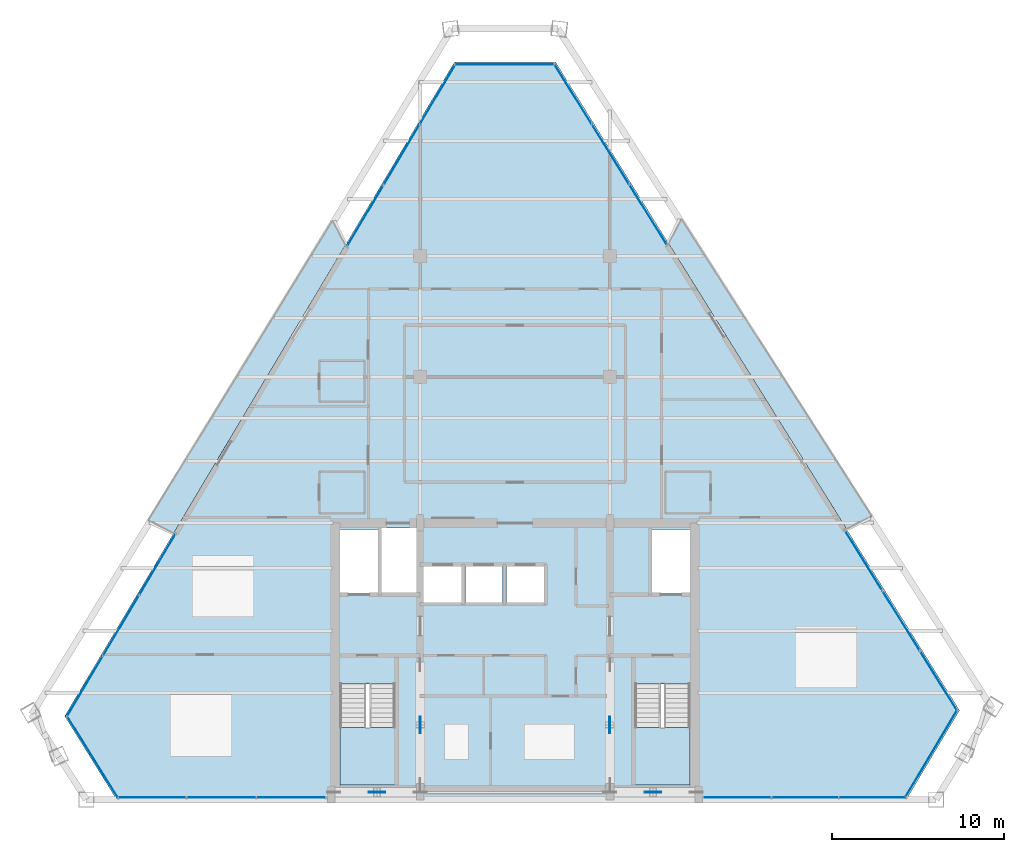
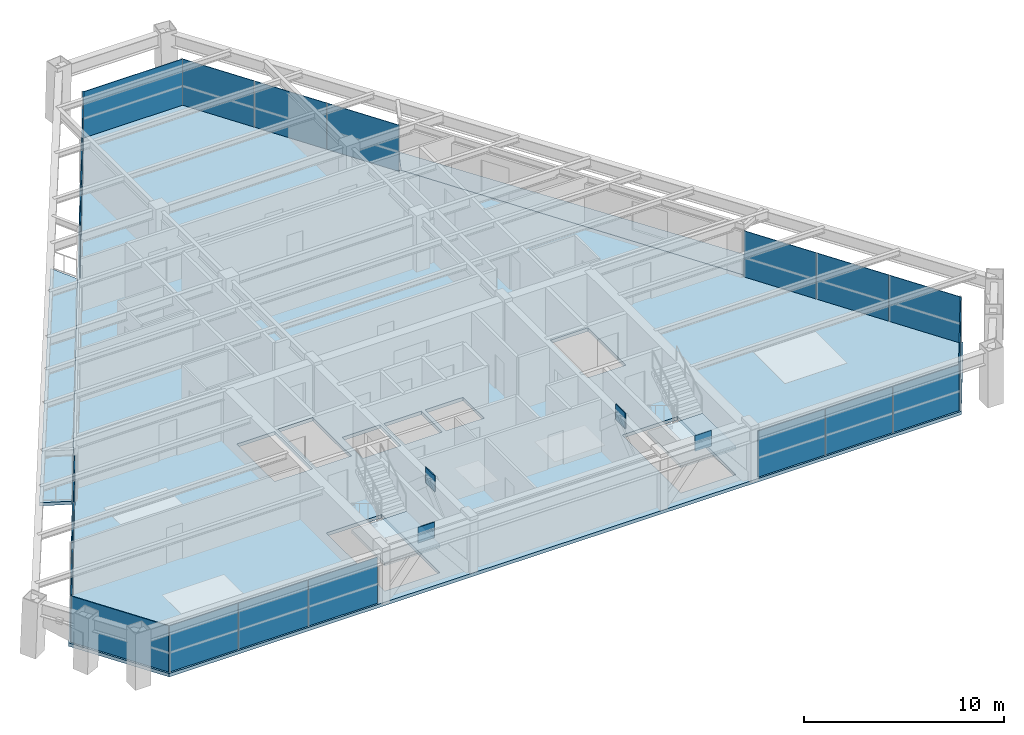
# One storey, part 7 of 12: 25 plates, 5 slabs, 11 elements without a shape of their own.
"""IFC4 building model written with IfcOpenShell, lengths in metres."""

from ifc_helpers import new_model, si_unit, direction, frame, origin, origin_2d, place, context, subcontext, project, spatial, polyline, rectangle, outline, extrude, source, transform, mapped, material, layer, layer_set, type_object, element, aggregate, save


model = new_model("IFC4")

# Units and contexts
model_context = context("Model", 3, precision=1e-05, world=origin(), true_north=direction((0.0, 1.0)))
body_context = subcontext(model_context, "Body", "Model", "MODEL_VIEW")
ifc_project = project(units=[si_unit("LENGTHUNIT", "METRE"), si_unit("AREAUNIT", "SQUARE_METRE"), si_unit("VOLUMEUNIT", "CUBIC_METRE"), si_unit("PLANEANGLEUNIT", "RADIAN"), si_unit("MASSUNIT", "GRAM", prefix="KILO")], contexts=[model_context])

# Site, building, storey
site_placement = place(None, origin())
site = spatial("IfcSite", under=ifc_project, at=site_placement, CompositionType="ELEMENT")
building_placement = place(site_placement, origin())
building = spatial("IfcBuilding", under=site, at=building_placement, Name="Varnakhor Terracotta Tower", CompositionType="ELEMENT")
storey_placement = place(building_placement, frame((0.0, 0.0, 226.89990234375)))
storey = spatial("IfcBuildingStorey", under=building, at=storey_placement, Name="L58", CompositionType="ELEMENT", Elevation=226.89990234375)

# Slab
ifc_material_1 = material(Name="Concrete C40/50", Category="concrete")
ifc_layer_1 = layer(ifc_material_1, 0.2099609375, Name="Concrete C40/50")
ifc_layer_set_1 = layer_set([ifc_layer_1], Name="Concrete C40/50")
slab_type_1 = type_object("IfcSlabType", Name="SLB-HTL-210", PredefinedType="FLOOR", material=ifc_layer_set_1)
slab_1_placement = place(storey_placement, frame((0.0, 0.0, -0.2099609375)))
element("IfcSlab", 1, at=slab_1_placement, inside=storey, type_object=slab_type_1, Name="L58 Structural Floor Slab", PredefinedType="FLOOR", context=body_context, shape_type="SweptSolid", body=[
    extrude(outline(polyline([(-26.10791015625, 4.839599609375), (-3.515869140625, 42.74658203125), (2.356689453125, 42.74658203125), (25.769775390625, 5.171875), (22.6875, 0.0), (-23.09228515625, 0.0), (-26.10791015625, 4.839599609375)]), holes=[polyline([(-6.949951171875, 0.85009765625), (-6.949951171875, 6.695068359375), (-10.14990234375, 6.695068359375), (-10.14990234375, 0.85009765625), (-6.949951171875, 0.85009765625)]), polyline([(10.14990234375, 0.85009765625), (10.14990234375, 6.695068359375), (6.949951171875, 6.695068359375), (6.949951171875, 0.85009765625), (10.14990234375, 0.85009765625)]), polyline([(-3.10009765625, 11.419921875), (-3.10009765625, 13.52001953125), (-5.300048828125, 13.52001953125), (-5.300048828125, 11.419921875), (-3.10009765625, 11.419921875)]), polyline([(-0.719970703125, 11.419921875), (-0.719970703125, 13.52001953125), (-2.8798828125, 13.52001953125), (-2.8798828125, 11.419921875), (-0.719970703125, 11.419921875)]), polyline([(1.699951171875, 11.419921875), (1.699951171875, 13.52001953125), (-0.5, 13.52001953125), (-0.5, 11.419921875), (1.699951171875, 11.419921875)]), polyline([(-7.949951171875, 11.8798828125), (-7.949951171875, 15.64990234375), (-10.14990234375, 15.64990234375), (-10.14990234375, 11.8798828125), (-7.949951171875, 11.8798828125)]), polyline([(10.14990234375, 11.8798828125), (10.14990234375, 15.64990234375), (7.949951171875, 15.64990234375), (7.949951171875, 11.8798828125), (10.14990234375, 11.8798828125)]), polyline([(-5.699951171875, 11.8798828125), (-5.699951171875, 15.75), (-7.72998046875, 15.75), (-7.72998046875, 11.8798828125), (-5.699951171875, 11.8798828125)])]), origin(), (0.0, 0.0, 1.0), 0.2099609375),
])

# Stair, slab
stair_type = type_object("IfcStairType", Name="STR-CORE-HOTEL-1500", PredefinedType="HALF_TURN_STAIR", material=ifc_material_1)
stair_1_placement = place(storey_placement, origin())
stair_1 = element("IfcStair", 2, at=stair_1_placement, inside=storey, type_object=stair_type, Name="L58 Core Exit Stair ST-1", PredefinedType="HALF_TURN_STAIR")
ifc_layer_2 = layer(ifc_material_1, 0.179931640625, Name="Concrete C40/50")
ifc_layer_set_2 = layer_set([ifc_layer_2], Name="Concrete C40/50")
slab_type_2 = type_object("IfcSlabType", Name="SLB-LANDING-180", PredefinedType="LANDING", material=ifc_layer_set_2)
slab_2_placement = place(storey_placement, frame((0.0, 0.0, 1.525146484375)))
slab_2 = element("IfcSlab", 3, at=slab_2_placement, type_object=slab_type_2, Name="ST-1 landing 1", PredefinedType="LANDING", context=body_context, shape_type="SweptSolid", body=[
    extrude(outline(polyline([(-10.14990234375, 4.18994140625), (-10.14990234375, 0.85009765625), (-6.949951171875, 0.85009765625), (-6.949951171875, 4.18994140625), (-10.14990234375, 4.18994140625)])), origin(), (0.0, 0.0, 1.0), 0.199951171875),
])
aggregate(stair_1, [slab_2])

stair_2_placement = place(storey_placement, origin())
stair_2 = element("IfcStair", 4, at=stair_2_placement, inside=storey, type_object=stair_type, Name="L58 Core Exit Stair ST-2", PredefinedType="HALF_TURN_STAIR")
slab_3_placement = place(storey_placement, frame((0.0, 0.0, 1.525146484375)))
slab_3 = element("IfcSlab", 5, at=slab_3_placement, type_object=slab_type_2, Name="ST-2 landing 1", PredefinedType="LANDING", context=body_context, shape_type="SweptSolid", body=[
    extrude(outline(polyline([(6.949951171875, 4.18994140625), (6.949951171875, 0.85009765625), (10.14990234375, 0.85009765625), (10.14990234375, 4.18994140625), (6.949951171875, 4.18994140625)])), origin(), (0.0, 0.0, 1.0), 0.199951171875),
])
aggregate(stair_2, [slab_3])

# Slabs
ifc_layer_3 = layer(ifc_material_1, 0.195068359375, Name="Concrete C40/50")
ifc_layer_set_3 = layer_set([ifc_layer_3], Name="Concrete C40/50")
slab_type_3 = type_object("IfcSlabType", Name="SLB-LOGGIA-EXT-195", PredefinedType="FLOOR", material=ifc_layer_set_3)
slab_4_placement = place(storey_placement, frame((0.0, 0.0, -0.19482421875)))
element("IfcSlab", 6, at=slab_4_placement, inside=storey, type_object=slab_type_3, Name="L58 E Recessed Outdoor Loggia Slab", PredefinedType="FLOOR", context=body_context, shape_type="SweptSolid", body=[
    extrude(outline(polyline([(9.62158203125, 33.682373046875), (20.688232421875, 16.402099609375), (19.214111328125, 15.69287109375), (8.912353515625, 32.2255859375), (9.62158203125, 33.682373046875)])), origin(), (0.0, 0.0, 1.0), 0.19482421875),
])
slab_5_placement = place(storey_placement, frame((0.0, 0.0, -0.19482421875)))
element("IfcSlab", 7, at=slab_5_placement, inside=storey, type_object=slab_type_3, Name="L58 W Recessed Outdoor Loggia Slab", PredefinedType="FLOOR", context=body_context, shape_type="SweptSolid", body=[
    extrude(outline(polyline([(-21.267333984375, 16.152099609375), (-10.555419921875, 33.585205078125), (-9.841552734375, 32.1328125), (-16.29345703125, 21.307373046875), (-19.7822265625, 15.45361328125), (-21.267333984375, 16.152099609375)])), origin(), (0.0, 0.0, 1.0), 0.19482421875),
])

# Plates
ifc_material_2 = material(Name="Steel S460", Category="steel")
ifc_layer_4 = layer(ifc_material_2, 0.050048828125, Name="Steel S460")
ifc_layer_set_4 = layer_set([ifc_layer_4], Name="Steel S460")
plate_type_1 = type_object("IfcPlateType", Name="PLT-GUSSET-50", PredefinedType="USERDEFINED", material=ifc_layer_set_4)
shared_shape_1 = source(origin(), body_context, "Body", "SweptSolid", [
    extrude(rectangle(XDim=0.949951171875, YDim=0.044921875, at=origin_2d()), origin(), (0.0, 0.0, 1.0), 0.949951171875),
])
for number, where, z_axis, x_axis, name in (
    (8, (-8.0, 0.419921875, 2.615234375), (0.0, 0.0, 1.0), (1.0, 0.0, 0.0), "L58 Core Brace Apex Gusset CSW"),
    (9, (8.0, 0.419921875, 2.615234375), (0.0, 0.0, 1.0), (1.0, 0.0, 0.0), "L58 Core Brace Apex Gusset CSE"),
    (10, (-5.5, 4.324951171875, 2.615234375), (0.0, 0.0, 1.0), (0.0, 1.0, 0.0), "L58 Core Brace Apex Gusset CWW"),
    (11, (5.5, 4.324951171875, 2.615234375), (0.0, 0.0, 1.0), (0.0, 1.0, 0.0), "L58 Core Brace Apex Gusset CWE"),
):
    element("IfcPlate", number, at=place(storey_placement, frame(where, z_axis=z_axis, x_axis=x_axis)), inside=storey, type_object=plate_type_1, Name=name, ObjectType="GUSSET PLATE", PredefinedType="USERDEFINED", context=body_context, shape_type="MappedRepresentation", body=[
        mapped(shared_shape_1, transform((0.0, 0.0, 0.0), scale=1.0)),
    ])

# Curtain wall, plate
ifc_material_3 = material(Name="Anodised Aluminium Curtain Wall System", Category="aluminium")
curtain_wall_type = type_object("IfcCurtainWallType", Name="CW-SYS-HOTEL-LOGGIA", PredefinedType="NOTDEFINED", material=ifc_material_3)
curtain_wall_1_placement = place(storey_placement, origin())
curtain_wall_1 = element("IfcCurtainWall", 12, at=curtain_wall_1_placement, inside=storey, type_object=curtain_wall_type, Name="L58 South Wing Curtain Wall SSE", PredefinedType="NOTDEFINED")
ifc_material_4 = material(Name="Solar-Control Low-E Insulated Glass Panel", Category="glass")
ifc_layer_5 = layer(ifc_material_4, 0.033935546875, Name="Solar-Control Low-E Insulated Glass Panel")
ifc_layer_set_5 = layer_set([ifc_layer_5], Name="Solar-Control Low-E Insulated Glass Panel")
plate_type_2 = type_object("IfcPlateType", Name="CWP-04", PredefinedType="CURTAIN_PANEL", material=ifc_layer_set_5)
shared_shape_2 = source(origin(), body_context, "Body", "SweptSolid", [
    extrude(rectangle(XDim=3.8623046875, YDim=0.035888671875, at=origin_2d()), origin(), (0.0, 0.0, 1.0), 2.820068359375),
])
plate_1_placement = place(storey_placement, frame((16.82373046875, 0.1201171875, 0.0), z_axis=(0.0, 0.0, 1.0), x_axis=(-1.0, 0.0, 0.0)))
plate_1 = element("IfcPlate", 13, at=plate_1_placement, type_object=plate_type_2, Name="L58 South Wing Curtain Wall SSE Glazed Panel 2", PredefinedType="CURTAIN_PANEL", context=body_context, shape_type="MappedRepresentation", body=[
    mapped(shared_shape_2, transform((0.0, 0.0, 0.0), scale=1.0)),
])

curtain_wall_2_placement = place(storey_placement, origin())
curtain_wall_2 = element("IfcCurtainWall", 14, at=curtain_wall_2_placement, inside=storey, type_object=curtain_wall_type, Name="L58 W Facet Curtain Wall 1", PredefinedType="NOTDEFINED")
shared_shape_3 = source(origin(), body_context, "Body", "SweptSolid", [
    extrude(rectangle(XDim=4.058837890625, YDim=0.035888671875, at=origin_2d()), origin(), (0.0, 0.0, 1.0), 2.820068359375),
])
plate_2_placement = place(storey_placement, frame((-24.9404296875, 6.564208984375, 0.0), z_axis=(0.0, 0.0, 1.0), x_axis=(0.511952911993, 0.859013513224, 0.0)))
plate_2 = element("IfcPlate", 15, at=plate_2_placement, type_object=plate_type_2, Name="L58 W Facet Curtain Wall 1 Glazed Panel 1", PredefinedType="CURTAIN_PANEL", context=body_context, shape_type="MappedRepresentation", body=[
    mapped(shared_shape_3, transform((0.0, 0.0, 0.0), scale=1.0)),
])

curtain_wall_3_placement = place(storey_placement, origin())
curtain_wall_3 = element("IfcCurtainWall", 16, at=curtain_wall_3_placement, inside=storey, type_object=curtain_wall_type, Name="L58 W Facet Curtain Wall 2", PredefinedType="NOTDEFINED")
plate_3_placement = place(storey_placement, frame((-8.674072265625, 33.857421875, 0.0), z_axis=(0.0, 0.0, 1.0), x_axis=(0.511952911993, 0.859013513224, 0.0)))
plate_3 = element("IfcPlate", 17, at=plate_3_placement, type_object=plate_type_2, Name="L58 W Facet Curtain Wall 2 Glazed Panel 1", PredefinedType="CURTAIN_PANEL", context=body_context, shape_type="MappedRepresentation", body=[
    mapped(shared_shape_3, transform((0.0, 0.0, 0.0), scale=1.0)),
])

# Plate
shared_shape_4 = source(origin(), body_context, "Body", "SweptSolid", [
    extrude(rectangle(XDim=4.05859375, YDim=0.035888671875, at=origin_2d()), origin(), (0.0, 0.0, 1.0), 2.820068359375),
])
plate_4_placement = place(storey_placement, frame((-22.842041015625, 10.085205078125, 0.0), z_axis=(0.0, 0.0, 1.0), x_axis=(0.511952911993, 0.859013513224, 0.0)))
plate_4 = element("IfcPlate", 18, at=plate_4_placement, type_object=plate_type_2, Name="L58 W Facet Curtain Wall 1 Glazed Panel 2", PredefinedType="CURTAIN_PANEL", context=body_context, shape_type="MappedRepresentation", body=[
    mapped(shared_shape_4, transform((0.0, 0.0, 0.0), scale=1.0)),
])

plate_5_placement = place(storey_placement, frame((-20.74365234375, 13.60595703125, 0.0), z_axis=(0.0, 0.0, 1.0), x_axis=(0.511952911993, 0.859013513224, 0.0)))
plate_5 = element("IfcPlate", 19, at=plate_5_placement, type_object=plate_type_2, Name="L58 W Facet Curtain Wall 1 Glazed Panel 3", PredefinedType="CURTAIN_PANEL", context=body_context, shape_type="MappedRepresentation", body=[
    mapped(shared_shape_4, transform((0.0, 0.0, 0.0), scale=1.0)),
])

aggregate(curtain_wall_2, [plate_2, plate_4, plate_5])

plate_6_placement = place(storey_placement, frame((-6.57568359375, 37.37841796875, 0.0), z_axis=(0.0, 0.0, 1.0), x_axis=(0.511952911993, 0.859013513224, 0.0)))
plate_6 = element("IfcPlate", 20, at=plate_6_placement, type_object=plate_type_2, Name="L58 W Facet Curtain Wall 2 Glazed Panel 2", PredefinedType="CURTAIN_PANEL", context=body_context, shape_type="MappedRepresentation", body=[
    mapped(shared_shape_4, transform((0.0, 0.0, 0.0), scale=1.0)),
])

plate_7_placement = place(storey_placement, frame((-4.477294921875, 40.899169921875, 0.0), z_axis=(0.0, 0.0, 1.0), x_axis=(0.511952911993, 0.859013513224, 0.0)))
plate_7 = element("IfcPlate", 21, at=plate_7_placement, type_object=plate_type_2, Name="L58 W Facet Curtain Wall 2 Glazed Panel 3", PredefinedType="CURTAIN_PANEL", context=body_context, shape_type="MappedRepresentation", body=[
    mapped(shared_shape_4, transform((0.0, 0.0, 0.0), scale=1.0)),
])

aggregate(curtain_wall_3, [plate_3, plate_6, plate_7])

# Curtain wall, plate
curtain_wall_4_placement = place(storey_placement, origin())
curtain_wall_4 = element("IfcCurtainWall", 22, at=curtain_wall_4_placement, inside=storey, type_object=curtain_wall_type, Name="L58 Facet Curtain Wall 2", PredefinedType="NOTDEFINED")
shared_shape_5 = source(origin(), body_context, "Body", "SweptSolid", [
    extrude(rectangle(XDim=5.7724609375, YDim=0.035888671875, at=origin_2d()), origin(), (0.0, 0.0, 1.0), 2.820068359375),
])
plate_8_placement = place(storey_placement, frame((-0.57958984375, 42.626708984375, 0.0), z_axis=(0.0, 0.0, 1.0), x_axis=(1.0, 0.0, 0.0)))
plate_8 = element("IfcPlate", 23, at=plate_8_placement, type_object=plate_type_2, Name="L58 Facet Curtain Wall 2 Glazed Panel 1", PredefinedType="CURTAIN_PANEL", context=body_context, shape_type="MappedRepresentation", body=[
    mapped(shared_shape_5, transform((0.0, 0.0, 0.0), scale=1.0)),
])
aggregate(curtain_wall_4, [plate_8])

# Curtain wall, plates
curtain_wall_5_placement = place(storey_placement, origin())
curtain_wall_5 = element("IfcCurtainWall", 24, at=curtain_wall_5_placement, inside=storey, type_object=curtain_wall_type, Name="L58 E Facet Curtain Wall 1", PredefinedType="NOTDEFINED")
shared_shape_6 = source(origin(), body_context, "Body", "SweptSolid", [
    extrude(rectangle(XDim=4.072021484375, YDim=0.035888671875, at=origin_2d()), origin(), (0.0, 0.0, 1.0), 2.820068359375),
])
plate_9_placement = place(storey_placement, frame((3.35791015625, 40.912841796875, 0.0), z_axis=(0.0, 0.0, 1.0), x_axis=(0.528838344516, -0.848722572676, 0.0)))
plate_9 = element("IfcPlate", 25, at=plate_9_placement, type_object=plate_type_2, Name="L58 E Facet Curtain Wall 1 Glazed Panel 1", PredefinedType="CURTAIN_PANEL", context=body_context, shape_type="MappedRepresentation", body=[
    mapped(shared_shape_6, transform((0.0, 0.0, 0.0), scale=1.0)),
])
plate_10_placement = place(storey_placement, frame((5.53271484375, 37.4228515625, 0.0), z_axis=(0.0, 0.0, 1.0), x_axis=(0.528838344516, -0.848722572676, 0.0)))
plate_10 = element("IfcPlate", 26, at=plate_10_placement, type_object=plate_type_2, Name="L58 E Facet Curtain Wall 1 Glazed Panel 2", PredefinedType="CURTAIN_PANEL", context=body_context, shape_type="MappedRepresentation", body=[
    mapped(shared_shape_6, transform((0.0, 0.0, 0.0), scale=1.0)),
])
plate_11_placement = place(storey_placement, frame((7.707275390625, 33.9326171875, 0.0), z_axis=(0.0, 0.0, 1.0), x_axis=(0.528838344516, -0.848722572676, 0.0)))
plate_11 = element("IfcPlate", 27, at=plate_11_placement, type_object=plate_type_2, Name="L58 E Facet Curtain Wall 1 Glazed Panel 3", PredefinedType="CURTAIN_PANEL", context=body_context, shape_type="MappedRepresentation", body=[
    mapped(shared_shape_6, transform((0.0, 0.0, 0.0), scale=1.0)),
])
aggregate(curtain_wall_5, [plate_9, plate_10, plate_11])

curtain_wall_6_placement = place(storey_placement, origin())
curtain_wall_6 = element("IfcCurtainWall", 28, at=curtain_wall_6_placement, inside=storey, type_object=curtain_wall_type, Name="L58 E Facet Curtain Wall 2", PredefinedType="NOTDEFINED")
plate_12_placement = place(storey_placement, frame((20.215576171875, 13.85888671875, 0.0), z_axis=(0.0, 0.0, 1.0), x_axis=(0.528838344516, -0.848722572676, 0.0)))
plate_12 = element("IfcPlate", 29, at=plate_12_placement, type_object=plate_type_2, Name="L58 E Facet Curtain Wall 2 Glazed Panel 1", PredefinedType="CURTAIN_PANEL", context=body_context, shape_type="MappedRepresentation", body=[
    mapped(shared_shape_6, transform((0.0, 0.0, 0.0), scale=1.0)),
])
plate_13_placement = place(storey_placement, frame((22.39013671875, 10.368896484375, 0.0), z_axis=(0.0, 0.0, 1.0), x_axis=(0.528838344516, -0.848722572676, 0.0)))
plate_13 = element("IfcPlate", 30, at=plate_13_placement, type_object=plate_type_2, Name="L58 E Facet Curtain Wall 2 Glazed Panel 2", PredefinedType="CURTAIN_PANEL", context=body_context, shape_type="MappedRepresentation", body=[
    mapped(shared_shape_6, transform((0.0, 0.0, 0.0), scale=1.0)),
])
plate_14_placement = place(storey_placement, frame((24.564697265625, 6.87890625, 0.0), z_axis=(0.0, 0.0, 1.0), x_axis=(0.528838344516, -0.848722572676, 0.0)))
plate_14 = element("IfcPlate", 31, at=plate_14_placement, type_object=plate_type_2, Name="L58 E Facet Curtain Wall 2 Glazed Panel 3", PredefinedType="CURTAIN_PANEL", context=body_context, shape_type="MappedRepresentation", body=[
    mapped(shared_shape_6, transform((0.0, 0.0, 0.0), scale=1.0)),
])
aggregate(curtain_wall_6, [plate_12, plate_13, plate_14])

# Curtain wall, plate
curtain_wall_7_placement = place(storey_placement, origin())
curtain_wall_7 = element("IfcCurtainWall", 32, at=curtain_wall_7_placement, inside=storey, type_object=curtain_wall_type, Name="L58 Facet Curtain Wall 4", PredefinedType="NOTDEFINED")
shared_shape_7 = source(origin(), body_context, "Body", "SweptSolid", [
    extrude(rectangle(XDim=5.920654296875, YDim=0.035888671875, at=origin_2d()), origin(), (0.0, 0.0, 1.0), 2.820068359375),
])
plate_15_placement = place(storey_placement, frame((24.12548828125, 2.647216796875, 0.0), z_axis=(0.0, 0.0, 1.0), x_axis=(-0.511967904529, -0.859004577829, 0.0)))
plate_15 = element("IfcPlate", 33, at=plate_15_placement, type_object=plate_type_2, Name="L58 Facet Curtain Wall 4 Glazed Panel 1", PredefinedType="CURTAIN_PANEL", context=body_context, shape_type="MappedRepresentation", body=[
    mapped(shared_shape_7, transform((0.0, 0.0, 0.0), scale=1.0)),
])
aggregate(curtain_wall_7, [plate_15])

# Plate
shared_shape_8 = source(origin(), body_context, "Body", "SweptSolid", [
    extrude(rectangle(XDim=3.862548828125, YDim=0.035888671875, at=origin_2d()), origin(), (0.0, 0.0, 1.0), 2.820068359375),
])
plate_16_placement = place(storey_placement, frame((20.72607421875, 0.1201171875, 0.0), z_axis=(0.0, 0.0, 1.0), x_axis=(-1.0, 0.0, 0.0)))
plate_16 = element("IfcPlate", 34, at=plate_16_placement, type_object=plate_type_2, Name="L58 South Wing Curtain Wall SSE Glazed Panel 1", PredefinedType="CURTAIN_PANEL", context=body_context, shape_type="MappedRepresentation", body=[
    mapped(shared_shape_8, transform((0.0, 0.0, 0.0), scale=1.0)),
])

plate_17_placement = place(storey_placement, frame((12.92138671875, 0.1201171875, 0.0), z_axis=(0.0, 0.0, 1.0), x_axis=(-1.0, 0.0, 0.0)))
plate_17 = element("IfcPlate", 35, at=plate_17_placement, type_object=plate_type_2, Name="L58 South Wing Curtain Wall SSE Glazed Panel 3", PredefinedType="CURTAIN_PANEL", context=body_context, shape_type="MappedRepresentation", body=[
    mapped(shared_shape_8, transform((0.0, 0.0, 0.0), scale=1.0)),
])

aggregate(curtain_wall_1, [plate_16, plate_1, plate_17])

# Curtain wall, plates
curtain_wall_8_placement = place(storey_placement, origin())
curtain_wall_8 = element("IfcCurtainWall", 36, at=curtain_wall_8_placement, inside=storey, type_object=curtain_wall_type, Name="L58 South Wing Curtain Wall SSW", PredefinedType="NOTDEFINED")
shared_shape_9 = source(origin(), body_context, "Body", "SweptSolid", [
    extrude(rectangle(XDim=3.99755859375, YDim=0.035888671875, at=origin_2d()), origin(), (0.0, 0.0, 1.0), 2.820068359375),
])
plate_18_placement = place(storey_placement, frame((-12.98876953125, 0.1201171875, 0.0), z_axis=(0.0, 0.0, 1.0), x_axis=(-1.0, 0.0, 0.0)))
plate_18 = element("IfcPlate", 37, at=plate_18_placement, type_object=plate_type_2, Name="L58 South Wing Curtain Wall SSW Glazed Panel 1", PredefinedType="CURTAIN_PANEL", context=body_context, shape_type="MappedRepresentation", body=[
    mapped(shared_shape_9, transform((0.0, 0.0, 0.0), scale=1.0)),
])
plate_19_placement = place(storey_placement, frame((-21.063720703125, 0.1201171875, 0.0), z_axis=(0.0, 0.0, 1.0), x_axis=(-1.0, 0.0, 0.0)))
plate_19 = element("IfcPlate", 38, at=plate_19_placement, type_object=plate_type_2, Name="L58 South Wing Curtain Wall SSW Glazed Panel 3", PredefinedType="CURTAIN_PANEL", context=body_context, shape_type="MappedRepresentation", body=[
    mapped(shared_shape_9, transform((0.0, 0.0, 0.0), scale=1.0)),
])
shared_shape_10 = source(origin(), body_context, "Body", "SweptSolid", [
    extrude(rectangle(XDim=3.997314453125, YDim=0.035888671875, at=origin_2d()), origin(), (0.0, 0.0, 1.0), 2.820068359375),
])
plate_20_placement = place(storey_placement, frame((-17.026123046875, 0.1201171875, 0.0), z_axis=(0.0, 0.0, 1.0), x_axis=(-1.0, 0.0, 0.0)))
plate_20 = element("IfcPlate", 39, at=plate_20_placement, type_object=plate_type_2, Name="L58 South Wing Curtain Wall SSW Glazed Panel 2", PredefinedType="CURTAIN_PANEL", context=body_context, shape_type="MappedRepresentation", body=[
    mapped(shared_shape_10, transform((0.0, 0.0, 0.0), scale=1.0)),
])
aggregate(curtain_wall_8, [plate_18, plate_20, plate_19])

# Curtain wall, plate
curtain_wall_9_placement = place(storey_placement, origin())
curtain_wall_9 = element("IfcCurtainWall", 40, at=curtain_wall_9_placement, inside=storey, type_object=curtain_wall_type, Name="L58 Facet Curtain Wall 6", PredefinedType="NOTDEFINED")
shared_shape_11 = source(origin(), body_context, "Body", "SweptSolid", [
    extrude(rectangle(XDim=5.602294921875, YDim=0.035888671875, at=origin_2d()), origin(), (0.0, 0.0, 1.0), 2.820068359375),
])
plate_21_placement = place(storey_placement, frame((-24.498291015625, 2.483154296875, 0.0), z_axis=(0.0, 0.0, 1.0), x_axis=(-0.528838344516, 0.848722572676, 0.0)))
plate_21 = element("IfcPlate", 41, at=plate_21_placement, type_object=plate_type_2, Name="L58 Facet Curtain Wall 6 Glazed Panel 1", PredefinedType="CURTAIN_PANEL", context=body_context, shape_type="MappedRepresentation", body=[
    mapped(shared_shape_11, transform((0.0, 0.0, 0.0), scale=1.0)),
])
aggregate(curtain_wall_9, [plate_21])

save(model, "model.ifc")
